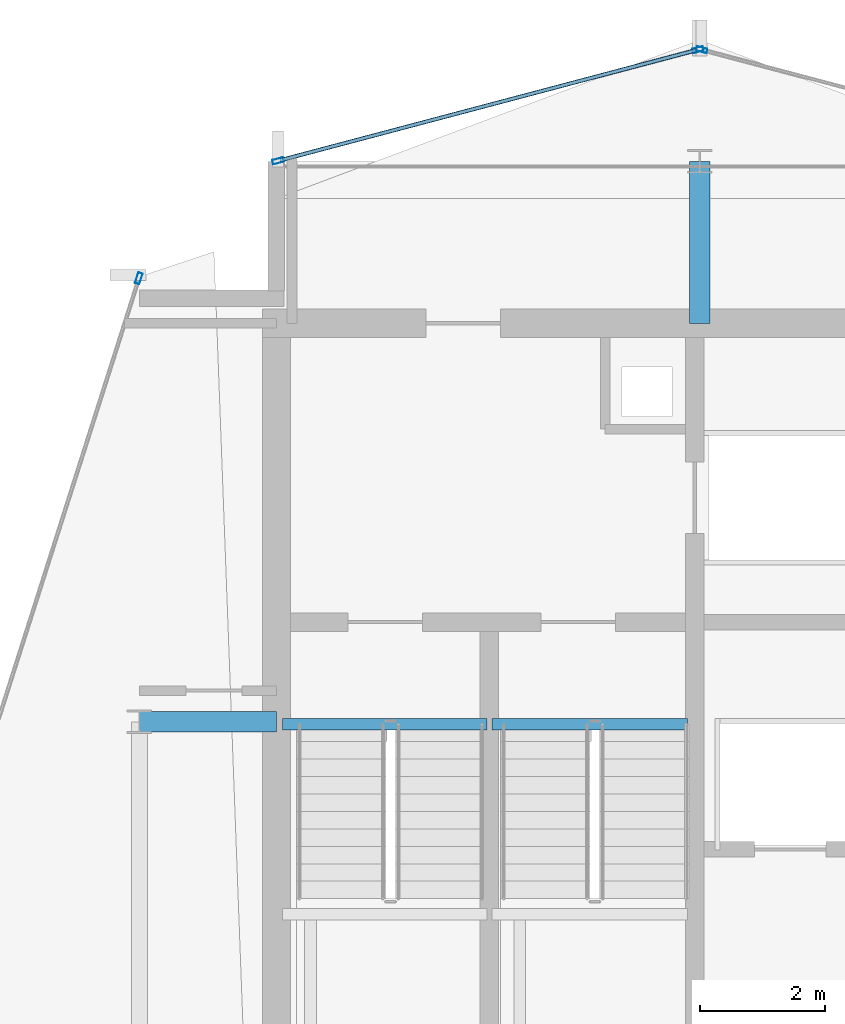
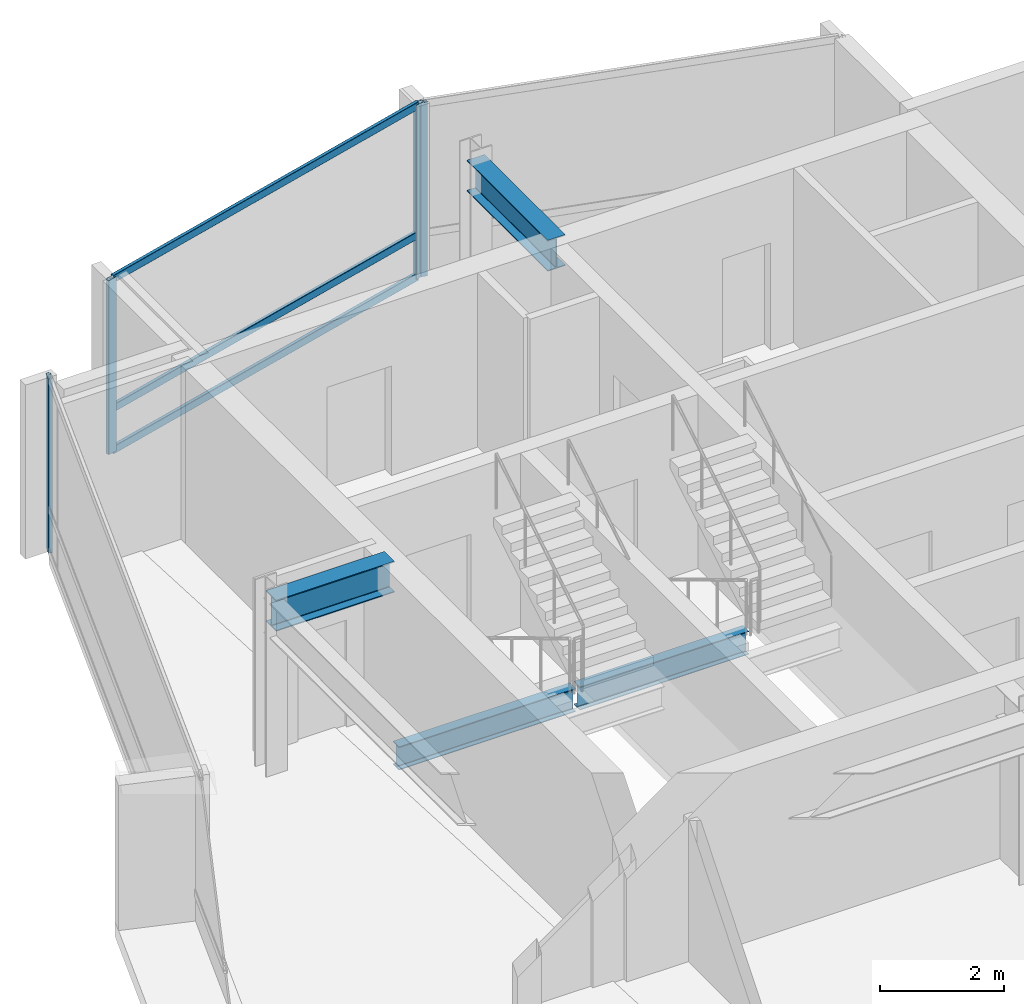
# One storey, part 11 of 19: 7 members, 4 beams, 3 elements without a shape of their own.
"""IFC4 building model written with IfcOpenShell, lengths in metres."""

from ifc_helpers import new_model, si_unit, direction, frame, origin, origin_2d, place, context, subcontext, project, spatial, hollow_rectangle, i_section, extrude, material, layer, layer_set, material_profile, profile_set, type_object, element, aggregate, save


model = new_model("IFC4")

# Units and contexts
model_context = context("Model", 3, precision=1e-05, world=origin(), true_north=direction((0.0, 1.0)))
body_context = subcontext(model_context, "Body", "Model", "MODEL_VIEW")
ifc_project = project(units=[si_unit("LENGTHUNIT", "METRE"), si_unit("AREAUNIT", "SQUARE_METRE"), si_unit("VOLUMEUNIT", "CUBIC_METRE"), si_unit("PLANEANGLEUNIT", "RADIAN"), si_unit("MASSUNIT", "GRAM", prefix="KILO")], contexts=[model_context])

# Site, building, storey
site_placement = place(None, origin())
site = spatial("IfcSite", under=ifc_project, at=site_placement, CompositionType="ELEMENT")
building_placement = place(site_placement, origin())
building = spatial("IfcBuilding", under=site, at=building_placement, Name="Solvaryn Broadcast Tower", CompositionType="ELEMENT")
storey_placement = place(building_placement, frame((0.0, 0.0, 266.699951171875)))
storey = spatial("IfcBuildingStorey", under=building, at=storey_placement, Name="L67", CompositionType="ELEMENT", Elevation=266.699951171875)

# Beams
ifc_material_1 = material(Name="Steel ASTM A992 Grade 50", Category="steel")
ifc_material_profile_1 = material_profile(ifc_material_1, i_section(OverallWidth=0.323974609375, OverallDepth=0.611083984375, WebThickness=0.0126953125, FlangeThickness=0.01904296875, FilletRadius=0.014892578125, at=origin_2d()))
ifc_profile_set_1 = profile_set([ifc_material_profile_1], Name="Steel ASTM A992 Grade 50")
beam_type_1 = type_object("IfcBeamType", Name="BM-B1-W24X104", PredefinedType="BEAM", material=ifc_profile_set_1)
beam_1_placement = place(storey_placement, frame((9.0, 36.0, 3.114501953125), z_axis=(1.0, 0.0, 0.0), x_axis=(0.0, 1.0, 0.0)))
element("IfcBeam", 1, at=beam_1_placement, inside=storey, type_object=beam_type_1, Name="L67 Core Tie Beam CTW1", PredefinedType="BEAM", context=body_context, shape_type="SweptSolid", body=[
    extrude(i_section(OverallWidth=0.323974609375, OverallDepth=0.611083984375, WebThickness=0.0126953125, FlangeThickness=0.01904296875, FilletRadius=0.014892578125, at=origin_2d()), origin(), (0.0, 0.0, 1.0), 2.199951171875),
])
beam_2_placement = place(storey_placement, frame((18.0, 42.39990234375, 3.114501953125), z_axis=(0.0, 1.0, 0.0), x_axis=(-1.0, 0.0, 0.0)))
element("IfcBeam", 2, at=beam_2_placement, inside=storey, type_object=beam_type_1, Name="L67 Core Tie Beam CTW3", PredefinedType="BEAM", context=body_context, shape_type="SweptSolid", body=[
    extrude(i_section(OverallWidth=0.323974609375, OverallDepth=0.611083984375, WebThickness=0.0126953125, FlangeThickness=0.01904296875, FilletRadius=0.014892578125, at=origin_2d()), origin(), (0.0, 0.0, 1.0), 2.60009765625),
])
ifc_material_2 = material(Name="Steel ASTM A992 Grade 50", Category="steel")
ifc_material_profile_2 = material_profile(ifc_material_2, i_section(OverallWidth=0.18994140625, OverallDepth=0.45703125, WebThickness=0.009033203125, FlangeThickness=0.014404296875, FilletRadius=0.011962890625, at=origin_2d()))
ifc_profile_set_2 = profile_set([ifc_material_profile_2], Name="Steel ASTM A992 Grade 50")
beam_type_2 = type_object("IfcBeamType", Name="BM-B4-W18X50", PredefinedType="BEAM", material=ifc_profile_set_2)
beam_3_placement = place(storey_placement, frame((11.300048828125, 35.9599609375, -0.508544921875), z_axis=(1.0, 0.0, 0.0), x_axis=(0.0, 1.0, 0.0)))
element("IfcBeam", 3, at=beam_3_placement, inside=storey, type_object=beam_type_2, Name="L67 ST1 Stair Well Trimmer Beam", PredefinedType="BEAM", context=body_context, shape_type="SweptSolid", body=[
    extrude(i_section(OverallWidth=0.18994140625, OverallDepth=0.45703125, WebThickness=0.009033203125, FlangeThickness=0.014404296875, FilletRadius=0.011962890625, at=origin_2d()), origin(), (0.0, 0.0, 1.0), 3.280029296875),
])
beam_4_placement = place(storey_placement, frame((14.659912109375, 35.9599609375, -0.508544921875), z_axis=(1.0, 0.0, 0.0), x_axis=(0.0, 1.0, 0.0)))
element("IfcBeam", 4, at=beam_4_placement, inside=storey, type_object=beam_type_2, Name="L67 ST2 Stair Well Trimmer Beam", PredefinedType="BEAM", context=body_context, shape_type="SweptSolid", body=[
    extrude(i_section(OverallWidth=0.18994140625, OverallDepth=0.45703125, WebThickness=0.009033203125, FlangeThickness=0.014404296875, FilletRadius=0.011962890625, at=origin_2d()), origin(), (0.0, 0.0, 1.0), 3.14013671875),
])

# Curtain wall, member
ifc_material_3 = material(Name="Aluminium and Terracotta Unitised Curtain Wall", Category="masonry")
ifc_layer = layer(ifc_material_3, 0.199951171875)
ifc_layer_set = layer_set([ifc_layer], Name="CW-SYS2-LOWMID")
curtain_wall_type = type_object("IfcCurtainWallType", Name="CW-SYS2-LOWMID", PredefinedType="NOTDEFINED", material=ifc_layer_set)
curtain_wall_1_placement = place(storey_placement, origin())
curtain_wall_1 = element("IfcCurtainWall", 5, at=curtain_wall_1_placement, inside=storey, type_object=curtain_wall_type, Name="L67 Curtain Wall DR1", PredefinedType="NOTDEFINED")
ifc_material_4 = material(Name="Anodised Aluminium 6063-T6", Category="aluminium")
ifc_material_profile_3 = material_profile(ifc_material_4, hollow_rectangle(XDim=0.074951171875, YDim=0.179931640625, WallThickness=0.00390625, InnerFilletRadius=0.00390625, OuterFilletRadius=0.008056640625, at=origin_2d()))
ifc_profile_set_3 = profile_set([ifc_material_profile_3], Name="Anodised Aluminium 6063-T6")
member_type_1 = type_object("IfcMemberType", Name="CW-MUL-180", PredefinedType="MULLION", material=ifc_profile_set_3)
member_1_placement = place(storey_placement, frame((8.990966796875, 43.120361328125, 0.0), z_axis=(0.0, 0.0, 1.0), x_axis=(0.952794594701, -0.30361564569, 0.0)))
member_1 = element("IfcMember", 6, at=member_1_placement, type_object=member_type_1, Name="CWS2 mullion 1", PredefinedType="MULLION", context=body_context, shape_type="SweptSolid", body=[
    extrude(hollow_rectangle(XDim=0.074951171875, YDim=0.179931640625, WallThickness=0.00390625, InnerFilletRadius=0.00390625, OuterFilletRadius=0.008056640625, at=origin_2d()), origin(), (0.0, 0.0, 1.0), 3.420166015625),
])
aggregate(curtain_wall_1, [member_1])

curtain_wall_2_placement = place(storey_placement, origin())
curtain_wall_2 = element("IfcCurtainWall", 7, at=curtain_wall_2_placement, inside=storey, type_object=curtain_wall_type, Name="L67 Curtain Wall NT1", PredefinedType="NOTDEFINED")
member_2_placement = place(storey_placement, frame((18.029052734375, 46.792236328125, 0.0), z_axis=(0.0, 0.0, 1.0), x_axis=(-0.25589256031, -0.966705227863, 0.0)))
member_2 = element("IfcMember", 8, at=member_2_placement, type_object=member_type_1, Name="CWS2 mullion 2", PredefinedType="MULLION", context=body_context, shape_type="SweptSolid", body=[
    extrude(hollow_rectangle(XDim=0.074951171875, YDim=0.179931640625, WallThickness=0.00390625, InnerFilletRadius=0.00390625, OuterFilletRadius=0.008056640625, at=origin_2d()), origin(), (0.0, 0.0, 1.0), 3.420166015625),
])
aggregate(curtain_wall_2, [member_2])

# Curtain wall, members
curtain_wall_3_placement = place(storey_placement, origin())
curtain_wall_3 = element("IfcCurtainWall", 9, at=curtain_wall_3_placement, inside=storey, type_object=curtain_wall_type, Name="L67 Curtain Wall NT2", PredefinedType="NOTDEFINED")
member_3_placement = place(storey_placement, frame((17.970947265625, 46.792236328125, 0.0), z_axis=(0.0, 0.0, 1.0), x_axis=(0.25589256031, -0.966705227863, 0.0)))
member_3 = element("IfcMember", 10, at=member_3_placement, type_object=member_type_1, Name="CWS2 mullion 1", PredefinedType="MULLION", context=body_context, shape_type="SweptSolid", body=[
    extrude(hollow_rectangle(XDim=0.074951171875, YDim=0.179931640625, WallThickness=0.00390625, InnerFilletRadius=0.00390625, OuterFilletRadius=0.008056640625, at=origin_2d()), origin(), (0.0, 0.0, 1.0), 3.420166015625),
])
member_4_placement = place(storey_placement, frame((11.22900390625, 45.007568359375, 0.0), z_axis=(0.0, 0.0, 1.0), x_axis=(0.25589256031, -0.966705227863, 0.0)))
member_4 = element("IfcMember", 11, at=member_4_placement, type_object=member_type_1, Name="CWS2 mullion 2", PredefinedType="MULLION", context=body_context, shape_type="SweptSolid", body=[
    extrude(hollow_rectangle(XDim=0.074951171875, YDim=0.179931640625, WallThickness=0.00390625, InnerFilletRadius=0.00390625, OuterFilletRadius=0.008056640625, at=origin_2d()), origin(), (0.0, 0.0, 1.0), 3.420166015625),
])
ifc_material_5 = material(Name="Anodised Aluminium 6063-T6", Category="aluminium")
ifc_material_profile_4 = material_profile(ifc_material_5, hollow_rectangle(XDim=0.06494140625, YDim=0.14990234375, WallThickness=0.00390625, InnerFilletRadius=0.00390625, OuterFilletRadius=0.008056640625, at=origin_2d()))
ifc_profile_set_4 = profile_set([ifc_material_profile_4], Name="Anodised Aluminium 6063-T6")
member_type_2 = type_object("IfcMemberType", Name="CW-TRN-150", PredefinedType="USERDEFINED", material=ifc_profile_set_4)
member_5_placement = place(storey_placement, frame((17.94189453125, 46.78466796875, 0.030029296875), z_axis=(-0.966703943301, -0.255897413051, 0.0), x_axis=(0.255897413051, -0.966703943301, 0.0)))
member_5 = element("IfcMember", 12, at=member_5_placement, type_object=member_type_2, Name="CWS2 transom 1.1", ObjectType="TRANSOM", PredefinedType="USERDEFINED", context=body_context, shape_type="SweptSolid", body=[
    extrude(hollow_rectangle(XDim=0.06494140625, YDim=0.14990234375, WallThickness=0.00390625, InnerFilletRadius=0.00390625, OuterFilletRadius=0.008056640625, at=origin_2d()), origin(), (0.0, 0.0, 1.0), 6.9140625),
])
member_6_placement = place(storey_placement, frame((17.94189453125, 46.78466796875, 0.85009765625), z_axis=(-0.966703943301, -0.255897413051, 0.0), x_axis=(0.255897413051, -0.966703943301, 0.0)))
member_6 = element("IfcMember", 13, at=member_6_placement, type_object=member_type_2, Name="CWS2 transom 1.2", ObjectType="TRANSOM", PredefinedType="USERDEFINED", context=body_context, shape_type="SweptSolid", body=[
    extrude(hollow_rectangle(XDim=0.06494140625, YDim=0.14990234375, WallThickness=0.00390625, InnerFilletRadius=0.00390625, OuterFilletRadius=0.008056640625, at=origin_2d()), origin(), (0.0, 0.0, 1.0), 6.9140625),
])
member_7_placement = place(storey_placement, frame((17.94189453125, 46.78466796875, 3.39013671875), z_axis=(-0.966703943301, -0.255897413051, 0.0), x_axis=(0.255897413051, -0.966703943301, 0.0)))
member_7 = element("IfcMember", 14, at=member_7_placement, type_object=member_type_2, Name="CWS2 transom 1.3", ObjectType="TRANSOM", PredefinedType="USERDEFINED", context=body_context, shape_type="SweptSolid", body=[
    extrude(hollow_rectangle(XDim=0.06494140625, YDim=0.14990234375, WallThickness=0.00390625, InnerFilletRadius=0.00390625, OuterFilletRadius=0.008056640625, at=origin_2d()), origin(), (0.0, 0.0, 1.0), 6.9140625),
])
aggregate(curtain_wall_3, [member_3, member_4, member_5, member_6, member_7])

save(model, "model.ifc")
